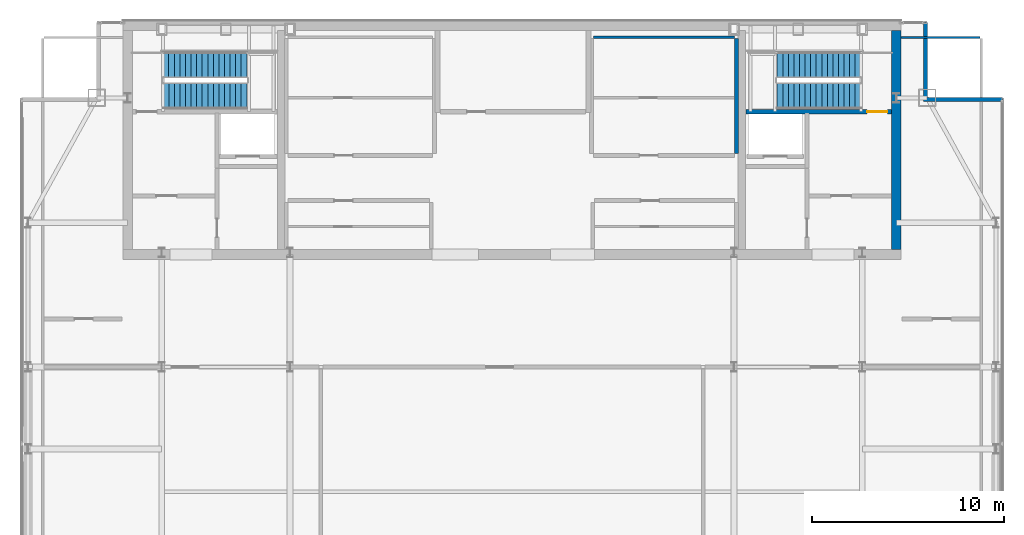
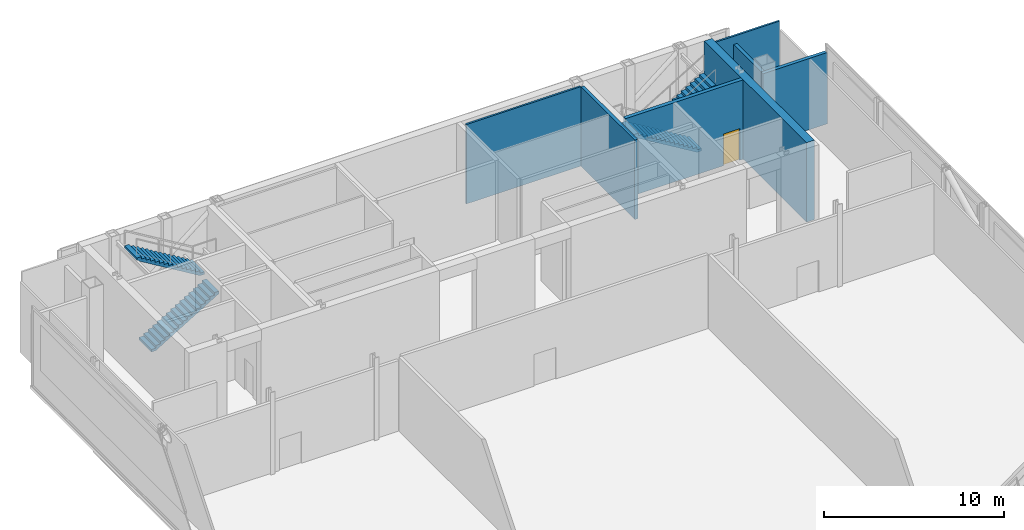
# One storey, part 20 of 22: 7 walls, 4 stair flights, 1 door, 1 opening, 2 elements without a shape of their own.
"""IFC4 building model written with IfcOpenShell, lengths in metres."""

from ifc_helpers import new_model, si_unit, direction, frame, frame_2d, origin, place, context, subcontext, project, spatial, polyline, rectangle, outline, extrude, material, layer, layer_set, type_object, element, fill, aggregate, save


model = new_model("IFC4")

# Units and contexts
model_context = context("Model", 3, precision=1e-05, world=origin(), true_north=direction((0.0, 1.0)))
body_context = subcontext(model_context, "Body", "Model", "MODEL_VIEW")
ifc_project = project(units=[si_unit("LENGTHUNIT", "METRE"), si_unit("AREAUNIT", "SQUARE_METRE"), si_unit("VOLUMEUNIT", "CUBIC_METRE"), si_unit("PLANEANGLEUNIT", "RADIAN"), si_unit("MASSUNIT", "GRAM", prefix="KILO")], contexts=[model_context])

# Site, building, storey
site_placement = place(None, origin())
site = spatial("IfcSite", under=ifc_project, at=site_placement, CompositionType="ELEMENT")
building_placement = place(site_placement, origin())
building = spatial("IfcBuilding", under=site, at=building_placement, Name="Khoronbel Lancet Exchange", CompositionType="ELEMENT")
storey_placement = place(building_placement, frame((0.0, 0.0, 373.0)))
storey = spatial("IfcBuildingStorey", under=building, at=storey_placement, Name="L95", CompositionType="ELEMENT", Elevation=373.0)

# Walls
ifc_material_1 = material(Name="Concrete C60/75", Category="concrete")
ifc_layer_1 = layer(ifc_material_1, 0.5, Name="Concrete C60/75")
ifc_layer_set_1 = layer_set([ifc_layer_1], Name="Concrete C60/75")
wall_type_1 = type_object("IfcWallType", Name="WL-CW4", PredefinedType="SHEAR", material=ifc_layer_set_1)
wall_1_placement = place(storey_placement, frame((56.449951171875, 53.199951171875, 0.0), z_axis=(0.0, 0.0, 1.0), x_axis=(0.0, -1.0, 0.0)))
element("IfcWall", 1, at=wall_1_placement, inside=storey, type_object=wall_type_1, Name="Level L95 rear core east shear wall", PredefinedType="SHEAR", context=body_context, shape_type="SweptSolid", body=[
    extrude(rectangle(XDim=11.39990234375, YDim=0.5, at=frame_2d((5.699951171875, 0.0))), origin(), (0.0, 0.0, 1.0), 5.39990234375),
])
ifc_material_2 = material(Name="Precast concrete C40/50", Category="concrete")
ifc_layer_2 = layer(ifc_material_2, 0.25, Name="Precast concrete C40/50")
ifc_layer_set_2 = layer_set([ifc_layer_2], Name="Precast concrete C40/50")
wall_type_2 = type_object("IfcWallType", Name="WL-EXT250", PredefinedType="SOLIDWALL", material=ifc_layer_set_2)
wall_2_placement = place(storey_placement, frame((57.9599609375, 53.6298828125, 0.0), z_axis=(0.0, 0.0, 1.0), x_axis=(0.0, -1.0, 0.0)))
element("IfcWall", 2, at=wall_2_placement, inside=storey, type_object=wall_type_2, Name="Level L95 notched-corner limestone pier 07", PredefinedType="SOLIDWALL", context=body_context, shape_type="SweptSolid", body=[
    extrude(rectangle(XDim=3.909912109375, YDim=0.219970703125, at=frame_2d((1.955078125, 0.0))), origin(), (0.0, 0.0, 1.0), 4.840087890625),
])
wall_3_placement = place(storey_placement, frame((57.85009765625, 49.610107421875, 0.0), z_axis=(0.0, 0.0, 1.0), x_axis=(1.0, 0.0, 0.0)))
element("IfcWall", 3, at=wall_3_placement, inside=storey, type_object=wall_type_2, Name="Level L95 notched-corner limestone pier 08", PredefinedType="SOLIDWALL", context=body_context, shape_type="SweptSolid", body=[
    extrude(rectangle(XDim=4.1298828125, YDim=0.219970703125, at=frame_2d((2.06494140625, 0.0))), origin(), (0.0, 0.0, 1.0), 4.840087890625),
])
ifc_material_3 = material(Name="Acoustic Metal-Stud & Mineral-Wool Gypsum Partition 120 mm", Category="gypsum")
ifc_layer_3 = layer(ifc_material_3, 0.1201171875, Name="Acoustic Metal-Stud & Mineral-Wool Gypsum Partition 120 mm")
ifc_layer_set_3 = layer_set([ifc_layer_3], Name="Acoustic Metal-Stud & Mineral-Wool Gypsum Partition 120 mm")
wall_type_3 = type_object("IfcWallType", Name="WL-PRT120", PredefinedType="PARTITIONING", material=ifc_layer_set_3)
wall_4_placement = place(storey_placement, frame((56.699951171875, 52.840087890625, 0.0), z_axis=(0.0, 0.0, 1.0), x_axis=(1.0, 0.0, 0.0)))
element("IfcWall", 4, at=wall_4_placement, inside=storey, type_object=wall_type_3, Name="Level L95 interior partition PW-LIN-NE", PredefinedType="PARTITIONING", context=body_context, shape_type="SweptSolid", body=[
    extrude(rectangle(XDim=4.10498046875, YDim=0.1201171875, at=frame_2d((2.052490234375, 0.0))), origin(), (0.0, 0.0, 1.0), 5.39990234375),
])
ifc_material_4 = material(Name="Fire-Rated Metal-Stud & Mineral-Wool Gypsum Partition 120 mm", Category="gypsum")
ifc_layer_4 = layer(ifc_material_4, 0.1201171875, Name="Fire-Rated Metal-Stud & Mineral-Wool Gypsum Partition 120 mm")
ifc_layer_set_4 = layer_set([ifc_layer_4], Name="Fire-Rated Metal-Stud & Mineral-Wool Gypsum Partition 120 mm")
wall_type_4 = type_object("IfcWallType", Name="WL-PRT120F", PredefinedType="PARTITIONING", material=ifc_layer_set_4)
wall_5_placement = place(storey_placement, frame((40.68505859375, 52.860107421875, 0.0), z_axis=(0.0, 0.0, 1.0), x_axis=(1.0, 0.0, 0.0)))
element("IfcWall", 5, at=wall_5_placement, inside=storey, type_object=wall_type_4, Name="Level L95 interior partition CW-PH-RN", PredefinedType="PARTITIONING", context=body_context, shape_type="SweptSolid", body=[
    extrude(rectangle(XDim=7.349853515625, YDim=0.1201171875, at=frame_2d((3.6748046875, 0.0))), origin(), (0.0, 0.0, 1.0), 5.39990234375),
])
ifc_material_5 = material(Name="Autoclaved Aerated Concrete Blockwork 200 mm", Category="masonry")
ifc_layer_5 = layer(ifc_material_5, 0.199951171875, Name="Autoclaved Aerated Concrete Blockwork 200 mm")
ifc_layer_set_5 = layer_set([ifc_layer_5], Name="Autoclaved Aerated Concrete Blockwork 200 mm")
wall_type_5 = type_object("IfcWallType", Name="WL-PRT200", PredefinedType="PARTITIONING", material=ifc_layer_set_5)
wall_6_placement = place(storey_placement, frame((48.139892578125, 46.804931640625, 0.0), z_axis=(0.0, 0.0, 1.0), x_axis=(0.0, 1.0, 0.0)))
element("IfcWall", 6, at=wall_6_placement, inside=storey, type_object=wall_type_5, Name="Level L95 interior partition CW-PH-RE", PredefinedType="PARTITIONING", context=body_context, shape_type="SweptSolid", body=[
    extrude(rectangle(XDim=5.989990234375, YDim=0.199951171875, at=frame_2d((2.9951171875, 0.0))), origin(), (0.0, 0.0, 1.0), 5.39990234375),
])

# Wall, opening, door
ifc_layer_6 = layer(ifc_material_1, 0.260009765625, Name="Concrete C60/75")
ifc_layer_set_6 = layer_set([ifc_layer_6], Name="Concrete C60/75")
wall_type_6 = type_object("IfcWallType", Name="WL-SW3", PredefinedType="SHEAR", material=ifc_layer_set_6)
wall_7_placement = place(storey_placement, frame((48.6298828125, 48.97998046875, 0.0), z_axis=(0.0, 0.0, 1.0), x_axis=(1.0, 0.0, 0.0)))
wall_7 = element("IfcWall", 7, at=wall_7_placement, inside=storey, type_object=wall_type_6, Name="Level L95 east stairwell structural south wall", PredefinedType="SHEAR", context=body_context, shape_type="SweptSolid", body=[
    extrude(rectangle(XDim=7.570068359375, YDim=0.239990234375, at=frame_2d((3.78515625, 0.0))), origin(), (0.0, 0.0, 1.0), 5.39990234375),
])
opening_placement = place(wall_7_placement, frame((6.300048828125, 0.0, 0.0)))
opening = element("IfcOpeningElement", 8, at=opening_placement, cuts=wall_7, Name="Opening SD1", PredefinedType="OPENING", context=body_context, shape_type="SweptSolid", body=[
    extrude(rectangle(XDim=1.050048828125, YDim=2.14990234375, at=frame_2d((0.52490234375, 1.074951171875))), frame((0.0, 0.1298828125, 0.0), z_axis=(0.0, -1.0, 0.0), x_axis=(1.0, 0.0, 0.0)), (0.0, 0.0, 1.0), 0.260009765625),
])
ifc_material_6 = material(Name="Fire-Rated Steel Stairwell Door Assembly", Category="steel")
door_type = type_object("IfcDoorType", Name="DR-SD1", OperationType="NOTDEFINED", PredefinedType="DOOR", material=ifc_material_6)
door_placement = place(opening_placement, origin())
door = element("IfcDoor", 9, at=door_placement, inside=storey, type_object=door_type, Name="Protected exit stair ST2 door L95", OperationType="SINGLE_SWING_RIGHT", OverallHeight=2.14990234375, OverallWidth=1.050048828125, PredefinedType="DOOR", context=body_context, shape_type="SweptSolid", body=[
    extrude(rectangle(XDim=1.050048828125, YDim=2.14990234375, at=frame_2d((0.52490234375, 1.074951171875))), frame((0.0, 0.02490234375, 0.0), z_axis=(0.0, -1.0, 0.0), x_axis=(1.0, 0.0, 0.0)), (0.0, 0.0, 1.0), 0.050048828125),
])
fill(opening, door)

# Stair, stair flights
ifc_material_7 = material(Name="Concrete C40/50", Category="concrete")
stair_type = type_object("IfcStairType", Name="STR-CRN135", PredefinedType="HALF_TURN_STAIR", material=ifc_material_7)
stair_1_placement = place(storey_placement, origin())
stair_1 = element("IfcStair", 10, at=stair_1_placement, inside=storey, type_object=stair_type, Name="L95 Protected Exit Stair ST1", PredefinedType="HALF_TURN_STAIR")
stair_flight_type = type_object("IfcStairFlightType", Name="STF-135", PredefinedType="STRAIGHT", material=ifc_material_7)
stair_flight_1_placement = place(storey_placement, frame((18.300048828125, 49.81005859375, 0.0), z_axis=(0.0, 0.0, 1.0), x_axis=(1.0, 0.0, 0.0)))
stair_flight_1 = element("IfcStairFlight", 11, at=stair_flight_1_placement, type_object=stair_flight_type, Name="ST1 flight 1", NumberOfRisers=16, NumberOfTreads=15, PredefinedType="STRAIGHT", RiserHeight=0.175, TreadLength=0.29, context=body_context, shape_type="SweptSolid", body=[
    extrude(outline(polyline([(0.0, 0.0), (0.0, 0.175048828125), (0.2900390625, 0.175048828125), (0.2900390625, 0.35009765625), (0.580078125, 0.35009765625), (0.580078125, 0.52490234375), (0.8701171875, 0.52490234375), (0.8701171875, 0.699951171875), (1.159912109375, 0.699951171875), (1.159912109375, 0.875), (1.449951171875, 0.875), (1.449951171875, 1.050048828125), (1.739990234375, 1.050048828125), (1.739990234375, 1.22509765625), (2.030029296875, 1.22509765625), (2.030029296875, 1.39990234375), (2.320068359375, 1.39990234375), (2.320068359375, 1.574951171875), (2.610107421875, 1.574951171875), (2.610107421875, 1.75), (2.89990234375, 1.75), (2.89990234375, 1.925048828125), (3.18994140625, 1.925048828125), (3.18994140625, 2.10009765625), (3.47998046875, 2.10009765625), (3.47998046875, 2.27490234375), (3.77001953125, 2.27490234375), (3.77001953125, 2.449951171875), (4.06005859375, 2.449951171875), (4.06005859375, 2.625), (4.35009765625, 2.625), (4.35009765625, 2.800048828125), (4.35009765625, 2.449951171875), (0.2900390625, 0.0), (0.0, 0.0)])), frame((0.0, 0.68994140625, 0.0), z_axis=(0.0, -1.0, 0.0), x_axis=(1.0, 0.0, 0.0)), (0.0, 0.0, 1.0), 1.3798828125),
])
stair_flight_2_placement = place(storey_placement, frame((22.64990234375, 51.409912109375, 2.800048828125), z_axis=(0.0, 0.0, 1.0), x_axis=(-1.0, 0.0, 0.0)))
stair_flight_2 = element("IfcStairFlight", 12, at=stair_flight_2_placement, type_object=stair_flight_type, Name="ST1 flight 2", NumberOfRisers=16, NumberOfTreads=15, PredefinedType="STRAIGHT", RiserHeight=0.175, TreadLength=0.29, context=body_context, shape_type="SweptSolid", body=[
    extrude(outline(polyline([(0.0, 0.0), (0.0, 0.175048828125), (0.2900390625, 0.175048828125), (0.2900390625, 0.35009765625), (0.580078125, 0.35009765625), (0.580078125, 0.52490234375), (0.8701171875, 0.52490234375), (0.8701171875, 0.699951171875), (1.159912109375, 0.699951171875), (1.159912109375, 0.875), (1.449951171875, 0.875), (1.449951171875, 1.050048828125), (1.739990234375, 1.050048828125), (1.739990234375, 1.22509765625), (2.030029296875, 1.22509765625), (2.030029296875, 1.39990234375), (2.320068359375, 1.39990234375), (2.320068359375, 1.574951171875), (2.610107421875, 1.574951171875), (2.610107421875, 1.75), (2.89990234375, 1.75), (2.89990234375, 1.925048828125), (3.18994140625, 1.925048828125), (3.18994140625, 2.10009765625), (3.47998046875, 2.10009765625), (3.47998046875, 2.27490234375), (3.77001953125, 2.27490234375), (3.77001953125, 2.449951171875), (4.06005859375, 2.449951171875), (4.06005859375, 2.625), (4.35009765625, 2.625), (4.35009765625, 2.800048828125), (4.35009765625, 2.449951171875), (0.2900390625, 0.0), (0.0, 0.0)])), frame((0.0, 0.68994140625, 0.0), z_axis=(0.0, -1.0, 0.0), x_axis=(1.0, 0.0, 0.0)), (0.0, 0.0, 1.0), 1.3798828125),
])
aggregate(stair_1, [stair_flight_1, stair_flight_2])

stair_2_placement = place(storey_placement, origin())
stair_2 = element("IfcStair", 13, at=stair_2_placement, inside=storey, type_object=stair_type, Name="L95 Protected Exit Stair ST2", PredefinedType="HALF_TURN_STAIR")
stair_flight_3_placement = place(storey_placement, frame((54.60009765625, 51.409912109375, 0.0), z_axis=(0.0, 0.0, 1.0), x_axis=(-1.0, 0.0, 0.0)))
stair_flight_3 = element("IfcStairFlight", 14, at=stair_flight_3_placement, type_object=stair_flight_type, Name="ST2 flight 1", NumberOfRisers=16, NumberOfTreads=15, PredefinedType="STRAIGHT", RiserHeight=0.175, TreadLength=0.29, context=body_context, shape_type="SweptSolid", body=[
    extrude(outline(polyline([(0.0, 0.0), (0.0, 0.175048828125), (0.2900390625, 0.175048828125), (0.2900390625, 0.35009765625), (0.580078125, 0.35009765625), (0.580078125, 0.52490234375), (0.8701171875, 0.52490234375), (0.8701171875, 0.699951171875), (1.159912109375, 0.699951171875), (1.159912109375, 0.875), (1.449951171875, 0.875), (1.449951171875, 1.050048828125), (1.739990234375, 1.050048828125), (1.739990234375, 1.22509765625), (2.030029296875, 1.22509765625), (2.030029296875, 1.39990234375), (2.320068359375, 1.39990234375), (2.320068359375, 1.574951171875), (2.610107421875, 1.574951171875), (2.610107421875, 1.75), (2.89990234375, 1.75), (2.89990234375, 1.925048828125), (3.18994140625, 1.925048828125), (3.18994140625, 2.10009765625), (3.47998046875, 2.10009765625), (3.47998046875, 2.27490234375), (3.77001953125, 2.27490234375), (3.77001953125, 2.449951171875), (4.06005859375, 2.449951171875), (4.06005859375, 2.625), (4.35009765625, 2.625), (4.35009765625, 2.800048828125), (4.35009765625, 2.449951171875), (0.2900390625, 0.0), (0.0, 0.0)])), frame((0.0, 0.68994140625, 0.0), z_axis=(0.0, -1.0, 0.0), x_axis=(1.0, 0.0, 0.0)), (0.0, 0.0, 1.0), 1.3798828125),
])
stair_flight_4_placement = place(storey_placement, frame((50.25, 49.81005859375, 2.800048828125), z_axis=(0.0, 0.0, 1.0), x_axis=(1.0, 0.0, 0.0)))
stair_flight_4 = element("IfcStairFlight", 15, at=stair_flight_4_placement, type_object=stair_flight_type, Name="ST2 flight 2", NumberOfRisers=16, NumberOfTreads=15, PredefinedType="STRAIGHT", RiserHeight=0.175, TreadLength=0.29, context=body_context, shape_type="SweptSolid", body=[
    extrude(outline(polyline([(0.0, 0.0), (0.0, 0.175048828125), (0.2900390625, 0.175048828125), (0.2900390625, 0.35009765625), (0.580078125, 0.35009765625), (0.580078125, 0.52490234375), (0.8701171875, 0.52490234375), (0.8701171875, 0.699951171875), (1.159912109375, 0.699951171875), (1.159912109375, 0.875), (1.449951171875, 0.875), (1.449951171875, 1.050048828125), (1.739990234375, 1.050048828125), (1.739990234375, 1.22509765625), (2.030029296875, 1.22509765625), (2.030029296875, 1.39990234375), (2.320068359375, 1.39990234375), (2.320068359375, 1.574951171875), (2.610107421875, 1.574951171875), (2.610107421875, 1.75), (2.89990234375, 1.75), (2.89990234375, 1.925048828125), (3.18994140625, 1.925048828125), (3.18994140625, 2.10009765625), (3.47998046875, 2.10009765625), (3.47998046875, 2.27490234375), (3.77001953125, 2.27490234375), (3.77001953125, 2.449951171875), (4.06005859375, 2.449951171875), (4.06005859375, 2.625), (4.35009765625, 2.625), (4.35009765625, 2.800048828125), (4.35009765625, 2.449951171875), (0.2900390625, 0.0), (0.0, 0.0)])), frame((0.0, 0.68994140625, 0.0), z_axis=(0.0, -1.0, 0.0), x_axis=(1.0, 0.0, 0.0)), (0.0, 0.0, 1.0), 1.3798828125),
])
aggregate(stair_2, [stair_flight_3, stair_flight_4])

save(model, "model.ifc")
